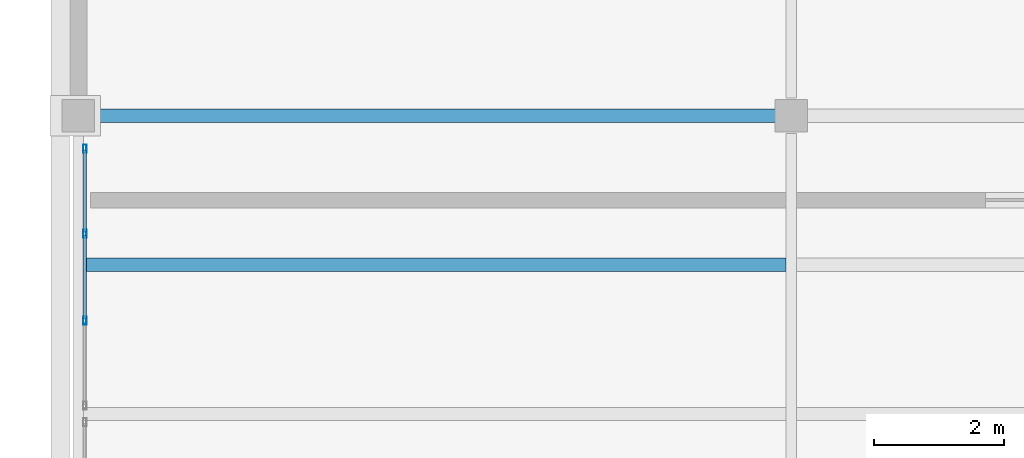
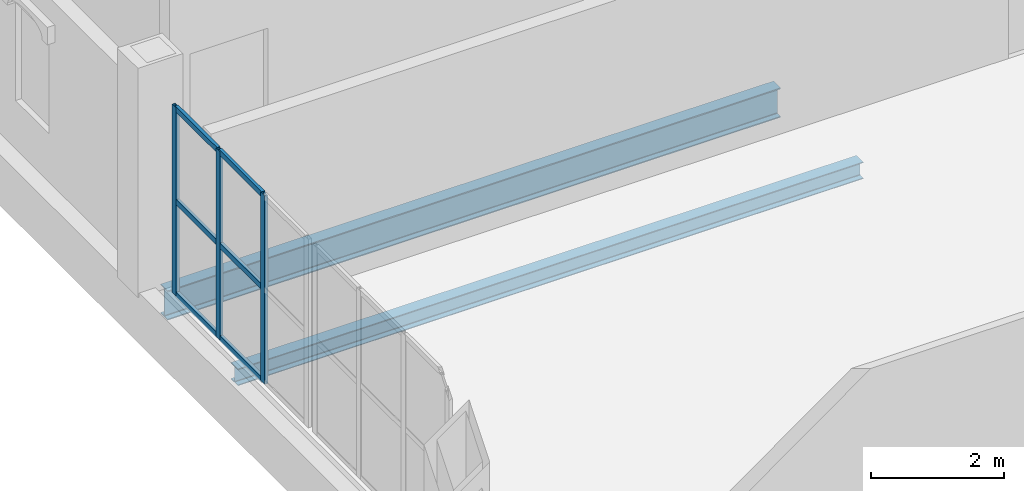
# One storey, part 20 of 26: 9 members, 2 beams, 1 element without a shape of its own.
"""IFC4 building model written with IfcOpenShell, lengths in metres."""

from ifc_helpers import new_model, si_unit, direction, frame, origin, origin_2d, place, context, subcontext, project, spatial, hollow_rectangle, i_section, extrude, material, material_profile, profile_set, type_object, element, aggregate, save


model = new_model("IFC4")

# Units and contexts
model_context = context("Model", 3, precision=1e-05, world=origin(), true_north=direction((0.0, 1.0)))
body_context = subcontext(model_context, "Body", "Model", "MODEL_VIEW")
ifc_project = project(units=[si_unit("LENGTHUNIT", "METRE"), si_unit("AREAUNIT", "SQUARE_METRE"), si_unit("VOLUMEUNIT", "CUBIC_METRE"), si_unit("PLANEANGLEUNIT", "RADIAN"), si_unit("MASSUNIT", "GRAM", prefix="KILO")], contexts=[model_context])

# Site, building, storey
site_placement = place(None, origin())
site = spatial("IfcSite", under=ifc_project, at=site_placement, CompositionType="ELEMENT")
building_placement = place(site_placement, origin())
building = spatial("IfcBuilding", under=site, at=building_placement, Name="Caurita Quay Ferry Terminal", CompositionType="ELEMENT")
storey_placement = place(building_placement, frame((0.0, 0.0, 18.300048828125)))
storey = spatial("IfcBuildingStorey", under=building, at=storey_placement, Name="L04", CompositionType="ELEMENT", Elevation=18.300048828125)

# Beams
ifc_material_1 = material(Name="Structural steel ASTM A992 Gr. 50", Category="steel")
ifc_material_profile_1 = material_profile(ifc_material_1, i_section(OverallWidth=0.210693359375, OverallDepth=0.53857421875, WebThickness=0.01171875, FlangeThickness=0.018798828125, FilletRadius=0.013916015625, at=origin_2d()), Name="W21X73")
ifc_profile_set_1 = profile_set([ifc_material_profile_1], Name="Structural steel ASTM A992 Gr. 50")
beam_type_1 = type_object("IfcBeamType", Name="BM-GR-W21A", PredefinedType="BEAM", material=ifc_profile_set_1)
beam_1_placement = place(storey_placement, frame((0.19140625, 107.800048828125, -0.4892578125), z_axis=(1.0, 0.0, 0.0), x_axis=(0.0, 1.0, 0.0)))
element("IfcBeam", 1, at=beam_1_placement, inside=storey, type_object=beam_type_1, Name="L04 Beam BM-V5-L04-X-2-1078", PredefinedType="BEAM", context=body_context, shape_type="SweptSolid", body=[
    extrude(i_section(OverallWidth=0.210693359375, OverallDepth=0.53857421875, WebThickness=0.01171875, FlangeThickness=0.018798828125, FilletRadius=0.013916015625, at=origin_2d()), origin(), (0.0, 0.0, 1.0), 10.6171875),
])
ifc_material_profile_2 = material_profile(ifc_material_1, i_section(OverallWidth=0.20458984375, OverallDepth=0.307373046875, WebThickness=0.008544921875, FlangeThickness=0.0146484375, FilletRadius=0.0126953125, at=origin_2d()), Name="W12X45")
ifc_profile_set_2 = profile_set([ifc_material_profile_2], Name="Structural steel ASTM A992 Gr. 50")
beam_type_2 = type_object("IfcBeamType", Name="BM-JS-W12B", PredefinedType="JOIST", material=ifc_profile_set_2)
beam_2_placement = place(storey_placement, frame((0.083251953125, 105.5, -0.373779296875), z_axis=(1.0, 0.0, 0.0), x_axis=(0.0, 1.0, 0.0)))
element("IfcBeam", 2, at=beam_2_placement, inside=storey, type_object=beam_type_2, Name="L04 Beam JS-V5-L04-010", PredefinedType="JOIST", context=body_context, shape_type="SweptSolid", body=[
    extrude(i_section(OverallWidth=0.20458984375, OverallDepth=0.307373046875, WebThickness=0.008544921875, FlangeThickness=0.0146484375, FilletRadius=0.0126953125, at=origin_2d()), origin(), (0.0, 0.0, 1.0), 10.83349609375),
])

# Curtain wall, members
ifc_material_2 = material(Name="Laminated solar-control insulated glass", Category="glass")
curtain_wall_type = type_object("IfcCurtainWallType", Name="CW-SYS-21", PredefinedType="NOTDEFINED", material=ifc_material_2)
curtain_wall_placement = place(storey_placement, origin())
curtain_wall = element("IfcCurtainWall", 3, at=curtain_wall_placement, inside=storey, type_object=curtain_wall_type, Name="VTS Watch Panoramic Curtain Wall 149", PredefinedType="NOTDEFINED")
ifc_material_3 = material(Name="Anodized aluminium 6063-T6", Category="aluminium")
ifc_material_profile_3 = material_profile(ifc_material_3, hollow_rectangle(XDim=0.054931640625, YDim=0.125, WallThickness=0.00341796875, at=origin_2d()), Name="ALU-MUL-55X125")
ifc_profile_set_3 = profile_set([ifc_material_profile_3], Name="Anodized aluminium 6063-T6")
member_type_1 = type_object("IfcMemberType", Name="CW-MUL-125", PredefinedType="MULLION", material=ifc_profile_set_3)
member_1_placement = place(storey_placement, frame((0.10009765625, 104.639892578125, 0.0), z_axis=(0.0, 0.0, 1.0), x_axis=(-1.0, 0.0, 0.0)))
member_1 = element("IfcMember", 4, at=member_1_placement, type_object=member_type_1, Name="CW-VTS-149 Mullion 2", PredefinedType="MULLION", context=body_context, shape_type="SweptSolid", body=[
    extrude(hollow_rectangle(XDim=0.054931640625, YDim=0.125, WallThickness=0.00341796875, at=origin_2d()), origin(), (0.0, 0.0, 1.0), 3.449951171875),
])
member_2_placement = place(storey_placement, frame((0.10009765625, 105.97998046875, 0.0), z_axis=(0.0, 0.0, 1.0), x_axis=(-1.0, 0.0, 0.0)))
member_2 = element("IfcMember", 5, at=member_2_placement, type_object=member_type_1, Name="CW-VTS-149 Mullion 3", PredefinedType="MULLION", context=body_context, shape_type="SweptSolid", body=[
    extrude(hollow_rectangle(XDim=0.054931640625, YDim=0.125, WallThickness=0.00341796875, at=origin_2d()), origin(), (0.0, 0.0, 1.0), 3.449951171875),
])
member_3_placement = place(storey_placement, frame((0.10009765625, 107.29248046875, 0.0), z_axis=(0.0, 0.0, 1.0), x_axis=(-1.0, 0.0, 0.0)))
member_3 = element("IfcMember", 6, at=member_3_placement, type_object=member_type_1, Name="CW-VTS-149 Mullion 4", PredefinedType="MULLION", context=body_context, shape_type="SweptSolid", body=[
    extrude(hollow_rectangle(XDim=0.054931640625, YDim=0.125, WallThickness=0.00341796875, at=origin_2d()), origin(), (0.0, 0.0, 1.0), 3.449951171875),
])
ifc_material_profile_4 = material_profile(ifc_material_3, hollow_rectangle(XDim=0.054931640625, YDim=0.10009765625, WallThickness=0.00341796875, at=origin_2d()), Name="ALU-TRN-55X100")
ifc_profile_set_4 = profile_set([ifc_material_profile_4], Name="Anodized aluminium 6063-T6")
member_type_2 = type_object("IfcMemberType", Name="CW-TRN-100", PredefinedType="USERDEFINED", material=ifc_profile_set_4)
member_4_placement = place(storey_placement, frame((0.10009765625, 104.66552734375, 0.02734375), z_axis=(0.0, 1.0, 0.0), x_axis=(-1.0, 0.0, 0.0)))
member_4 = element("IfcMember", 7, at=member_4_placement, type_object=member_type_2, Name="CW-VTS-149 Transom 4", ObjectType="TRANSOM", PredefinedType="USERDEFINED", context=body_context, shape_type="SweptSolid", body=[
    extrude(hollow_rectangle(XDim=0.054931640625, YDim=0.10009765625, WallThickness=0.00341796875, at=origin_2d()), origin(), (0.0, 0.0, 1.0), 1.2890625),
])
member_5_placement = place(storey_placement, frame((0.10009765625, 104.66552734375, 1.724853515625), z_axis=(0.0, 1.0, 0.0), x_axis=(-1.0, 0.0, 0.0)))
member_5 = element("IfcMember", 8, at=member_5_placement, type_object=member_type_2, Name="CW-VTS-149 Transom 5", ObjectType="TRANSOM", PredefinedType="USERDEFINED", context=body_context, shape_type="SweptSolid", body=[
    extrude(hollow_rectangle(XDim=0.054931640625, YDim=0.10009765625, WallThickness=0.00341796875, at=origin_2d()), origin(), (0.0, 0.0, 1.0), 1.2890625),
])
member_6_placement = place(storey_placement, frame((0.10009765625, 104.66552734375, 3.42236328125), z_axis=(0.0, 1.0, 0.0), x_axis=(-1.0, 0.0, 0.0)))
member_6 = element("IfcMember", 9, at=member_6_placement, type_object=member_type_2, Name="CW-VTS-149 Transom 6", ObjectType="TRANSOM", PredefinedType="USERDEFINED", context=body_context, shape_type="SweptSolid", body=[
    extrude(hollow_rectangle(XDim=0.054931640625, YDim=0.10009765625, WallThickness=0.00341796875, at=origin_2d()), origin(), (0.0, 0.0, 1.0), 1.2890625),
])
member_7_placement = place(storey_placement, frame((0.10009765625, 106.005615234375, 0.02734375), z_axis=(0.0, 1.0, 0.0), x_axis=(-1.0, 0.0, 0.0)))
member_7 = element("IfcMember", 10, at=member_7_placement, type_object=member_type_2, Name="CW-VTS-149 Transom 7", ObjectType="TRANSOM", PredefinedType="USERDEFINED", context=body_context, shape_type="SweptSolid", body=[
    extrude(hollow_rectangle(XDim=0.054931640625, YDim=0.10009765625, WallThickness=0.00341796875, at=origin_2d()), origin(), (0.0, 0.0, 1.0), 1.261474609375),
])
member_8_placement = place(storey_placement, frame((0.10009765625, 106.005615234375, 1.724853515625), z_axis=(0.0, 1.0, 0.0), x_axis=(-1.0, 0.0, 0.0)))
member_8 = element("IfcMember", 11, at=member_8_placement, type_object=member_type_2, Name="CW-VTS-149 Transom 8", ObjectType="TRANSOM", PredefinedType="USERDEFINED", context=body_context, shape_type="SweptSolid", body=[
    extrude(hollow_rectangle(XDim=0.054931640625, YDim=0.10009765625, WallThickness=0.00341796875, at=origin_2d()), origin(), (0.0, 0.0, 1.0), 1.261474609375),
])
member_9_placement = place(storey_placement, frame((0.10009765625, 106.005615234375, 3.42236328125), z_axis=(0.0, 1.0, 0.0), x_axis=(-1.0, 0.0, 0.0)))
member_9 = element("IfcMember", 12, at=member_9_placement, type_object=member_type_2, Name="CW-VTS-149 Transom 9", ObjectType="TRANSOM", PredefinedType="USERDEFINED", context=body_context, shape_type="SweptSolid", body=[
    extrude(hollow_rectangle(XDim=0.054931640625, YDim=0.10009765625, WallThickness=0.00341796875, at=origin_2d()), origin(), (0.0, 0.0, 1.0), 1.261474609375),
])
aggregate(curtain_wall, [member_1, member_2, member_3, member_4, member_5, member_6, member_7, member_8, member_9])

save(model, "model.ifc")
